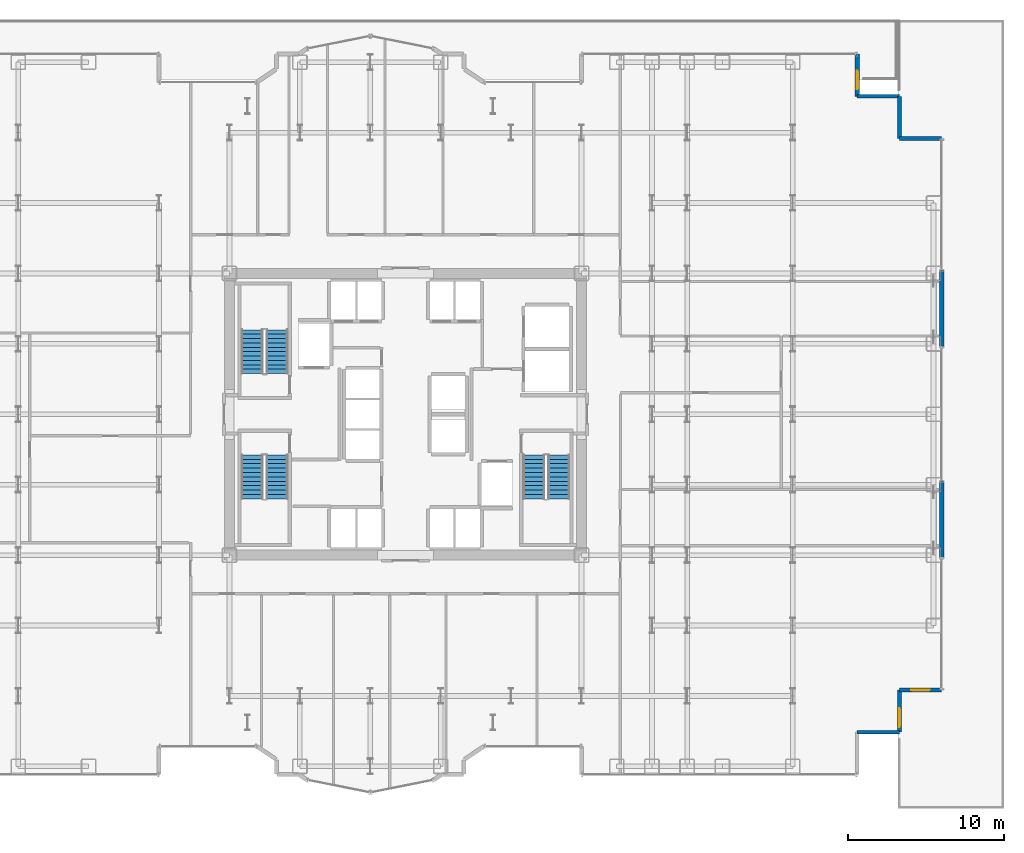
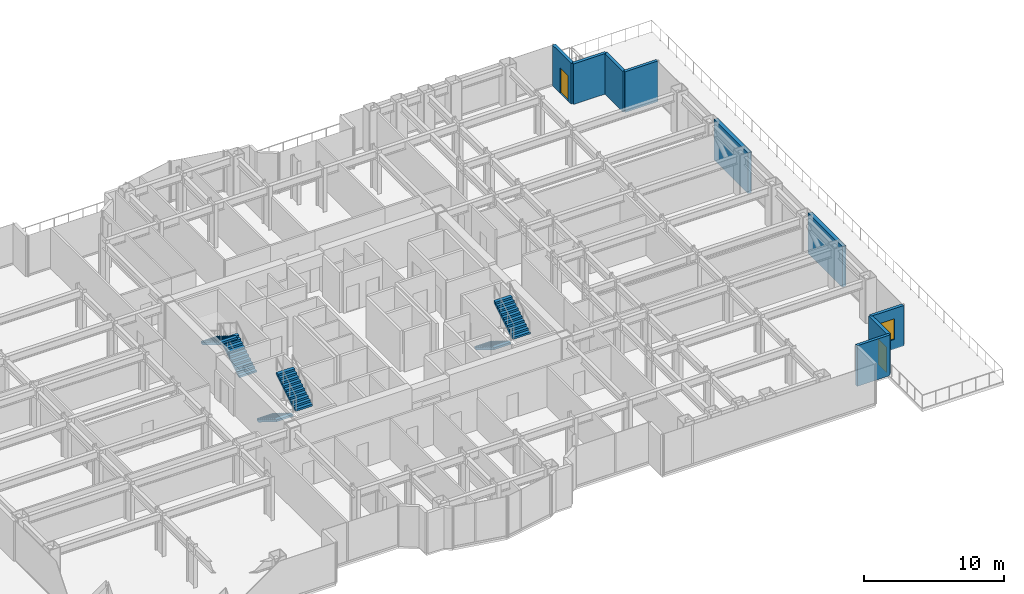
# One storey, part 27 of 30: 9 walls, 6 stair flights, 2 doors, 1 window, 3 openings, 3 elements without a shape of their own.
"""IFC4 building model written with IfcOpenShell, lengths in metres."""

from ifc_helpers import new_model, si_unit, direction, frame, frame_2d, origin, place, context, subcontext, project, spatial, polyline, rectangle, outline, extrude, source, transform, mapped, material, layer, layer_set, type_object, element, fill, aggregate, save


model = new_model("IFC4")

# Units and contexts
model_context = context("Model", 3, precision=1e-05, world=origin(), true_north=direction((0.0, 1.0)))
body_context = subcontext(model_context, "Body", "Model", "MODEL_VIEW")
ifc_project = project(units=[si_unit("LENGTHUNIT", "METRE"), si_unit("AREAUNIT", "SQUARE_METRE"), si_unit("VOLUMEUNIT", "CUBIC_METRE"), si_unit("PLANEANGLEUNIT", "RADIAN"), si_unit("MASSUNIT", "GRAM", prefix="KILO")], contexts=[model_context])

# Site, building, storey
site_placement = place(None, origin())
site = spatial("IfcSite", under=ifc_project, at=site_placement, CompositionType="ELEMENT")
building_placement = place(site_placement, origin())
building = spatial("IfcBuilding", under=site, at=building_placement, Name="Nefas-Gora Pilgrimage Tower", CompositionType="ELEMENT")
storey_placement = place(building_placement, frame((0.0, 0.0, 33.0)))
storey = spatial("IfcBuildingStorey", under=building, at=storey_placement, Name="L06", CompositionType="ELEMENT", Elevation=33.0)

# Walls
ifc_material_1 = material(Name="Precast concrete C45/55", Category="concrete")
ifc_layer_1 = layer(ifc_material_1, 0.239990234375)
ifc_layer_set_1 = layer_set([ifc_layer_1], Name="Precast concrete C45/55")
wall_type_1 = type_object("IfcWallType", Name="EW-SERR-240", PredefinedType="SHEAR", material=ifc_layer_set_1)
shared_shape_1 = source(origin(), body_context, "Body", "SweptSolid", [
    extrude(rectangle(XDim=4.8798828125, YDim=0.300048828125, at=frame_2d((2.43994140625, 0.0))), origin(), (0.0, 0.0, 1.0), 3.550048828125),
])
for number, where, z_axis, x_axis, name in (
    (1, (34.27001953125, -9.18994140625, 0.0), (0.0, 0.0, 1.0), (0.0, 1.0, 0.0), "L06 Braced-Tube Precast Shear Cladding 3"),
    (2, (34.27001953125, 4.31005859375, 0.0), (0.0, 0.0, 1.0), (0.0, 1.0, 0.0), "L06 Braced-Tube Precast Shear Cladding 4"),
):
    element("IfcWall", number, at=place(storey_placement, frame(where, z_axis=z_axis, x_axis=x_axis)), inside=storey, type_object=wall_type_1, Name=name, PredefinedType="SHEAR", context=body_context, shape_type="MappedRepresentation", body=[
        mapped(shared_shape_1, transform((0.0, 0.0, 0.0), x_axis=(1.0, 0.0, 0.0), y_axis=(0.0, 1.0, 0.0), z_axis=(0.0, 0.0, 1.0), scale=1.0)),
    ])
shared_shape_2 = source(origin(), body_context, "Body", "SweptSolid", [
    extrude(rectangle(XDim=2.699951171875, YDim=0.239990234375, at=frame_2d((1.35009765625, 0.0))), origin(), (0.0, 0.0, 1.0), 3.550048828125),
])
wall_1_placement = place(storey_placement, frame((28.8701171875, -20.320068359375, 0.0), z_axis=(0.0, 0.0, 1.0), x_axis=(1.0, 0.0, 0.0)))
element("IfcWall", 3, at=wall_1_placement, inside=storey, type_object=wall_type_1, Name="L06 Serrated Corner Shear Pier Wall 7", PredefinedType="SHEAR", context=body_context, shape_type="MappedRepresentation", body=[
    mapped(shared_shape_2, transform((0.0, 0.0, 0.0), x_axis=(1.0, 0.0, 0.0), y_axis=(0.0, 1.0, 0.0), z_axis=(0.0, 0.0, 1.0), scale=1.0)),
])

# Wall, opening, window
wall_2_placement = place(storey_placement, frame((31.570068359375, -17.6201171875, 0.0), z_axis=(0.0, 0.0, 1.0), x_axis=(1.0, 0.0, 0.0)))
wall_2 = element("IfcWall", 4, at=wall_2_placement, inside=storey, type_object=wall_type_1, Name="L06 Serrated Corner Shear Pier Wall 9", PredefinedType="SHEAR", context=body_context, shape_type="MappedRepresentation", body=[
    mapped(shared_shape_2, transform((0.0, 0.0, 0.0), x_axis=(1.0, 0.0, 0.0), y_axis=(0.0, 1.0, 0.0), z_axis=(0.0, 0.0, 1.0), scale=1.0)),
])
opening_1_placement = place(wall_2_placement, frame((0.75, 0.0, 0.85009765625)))
opening_1 = element("IfcOpeningElement", 5, at=opening_1_placement, cuts=wall_2, Name="Opening W-V1", PredefinedType="OPENING", context=body_context, shape_type="SweptSolid", body=[
    extrude(rectangle(XDim=1.199951171875, YDim=1.800048828125, at=frame_2d((0.60009765625, 0.89990234375))), frame((0.0, 0.1298828125, 0.0), z_axis=(0.0, -1.0, 0.0), x_axis=(1.0, 0.0, 0.0)), (0.0, 0.0, 1.0), 0.260009765625),
])
ifc_material_2 = material(Name="Dark ceramic-fritted operable aluminium-glass window", Category="aluminium")
window_type = type_object("IfcWindowType", Name="WIN-VENT-1200x1800", PartitioningType="SINGLE_PANEL", PredefinedType="WINDOW", material=ifc_material_2)
shared_shape_3 = source(origin(), body_context, "Body", "SweptSolid", [
    extrude(rectangle(XDim=1.199951171875, YDim=1.800048828125, at=frame_2d((0.60009765625, 0.89990234375))), frame((0.0, 0.030029296875, 0.0), z_axis=(0.0, -1.0, 0.0), x_axis=(1.0, 0.0, 0.0)), (0.0, 0.0, 1.0), 0.06005859375),
])
window_placement = place(opening_1_placement, origin())
window = element("IfcWindow", 6, at=window_placement, inside=storey, type_object=window_type, Name="L06 Operable Parallel-Outswing Window 9", OverallHeight=1.800048828125, OverallWidth=1.199951171875, PartitioningType="SINGLE_PANEL", PredefinedType="WINDOW", context=body_context, shape_type="MappedRepresentation", body=[
    mapped(shared_shape_3, transform((0.0, 0.0, 0.0), x_axis=(1.0, 0.0, 0.0), y_axis=(0.0, 1.0, 0.0), z_axis=(0.0, 0.0, 1.0), scale=1.0)),
])
fill(opening_1, window)

# Walls
for number, where, z_axis, x_axis, name in (
    (7, (34.27001953125, 17.6201171875, 0.0), (0.0, 0.0, 1.0), (-1.0, 0.0, 0.0), "L06 Serrated Corner Shear Pier Wall 10"),
    (8, (31.570068359375, 17.6201171875, 0.0), (0.0, 0.0, 1.0), (0.0, 1.0, 0.0), "L06 Serrated Corner Shear Pier Wall 11"),
    (9, (31.570068359375, 20.320068359375, 0.0), (0.0, 0.0, 1.0), (-1.0, 0.0, 0.0), "L06 Serrated Corner Shear Pier Wall 12"),
):
    element("IfcWall", number, at=place(storey_placement, frame(where, z_axis=z_axis, x_axis=x_axis)), inside=storey, type_object=wall_type_1, Name=name, PredefinedType="SHEAR", context=body_context, shape_type="MappedRepresentation", body=[
        mapped(shared_shape_2, transform((0.0, 0.0, 0.0), x_axis=(1.0, 0.0, 0.0), y_axis=(0.0, 1.0, 0.0), z_axis=(0.0, 0.0, 1.0), scale=1.0)),
    ])

# Wall, opening, door
ifc_material_3 = material(Name="Precast concrete C40/50", Category="concrete")
ifc_layer_2 = layer(ifc_material_3, 0.260009765625)
ifc_layer_set_2 = layer_set([ifc_layer_2], Name="Precast concrete C40/50")
wall_type_2 = type_object("IfcWallType", Name="EW-PORTAL-260", PredefinedType="SOLIDWALL", material=ifc_layer_set_2)
shared_shape_4 = source(origin(), body_context, "Body", "SweptSolid", [
    extrude(rectangle(XDim=2.699951171875, YDim=0.260009765625, at=frame_2d((1.35009765625, 0.0))), origin(), (0.0, 0.0, 1.0), 3.550048828125),
])
wall_3_placement = place(storey_placement, frame((31.570068359375, -20.320068359375, 0.0), z_axis=(0.0, 0.0, 1.0), x_axis=(0.0, 1.0, 0.0)))
wall_3 = element("IfcWall", 10, at=wall_3_placement, inside=storey, type_object=wall_type_2, Name="L06 Insulated Terrace Portal Wall 8", PredefinedType="SOLIDWALL", context=body_context, shape_type="MappedRepresentation", body=[
    mapped(shared_shape_4, transform((0.0, 0.0, 0.0), x_axis=(1.0, 0.0, 0.0), y_axis=(0.0, 1.0, 0.0), z_axis=(0.0, 0.0, 1.0), scale=1.0)),
])
opening_2_placement = place(wall_3_placement, frame((0.333984375, 0.0, 0.0)))
opening_2 = element("IfcOpeningElement", 11, at=opening_2_placement, cuts=wall_3, Name="Opening ED-S1", PredefinedType="OPENING", context=body_context, shape_type="SweptSolid", body=[
    extrude(rectangle(XDim=1.199951171875, YDim=2.199951171875, at=frame_2d((0.60009765625, 1.10009765625))), frame((0.0, 0.139892578125, 0.0), z_axis=(0.0, -1.0, 0.0), x_axis=(1.0, 0.0, 0.0)), (0.0, 0.0, 1.0), 0.280029296875),
])
ifc_material_4 = material(Name="Heavy-wind glazed aluminium sky-terrace door", Category="aluminium")
door_type = type_object("IfcDoorType", Name="DR-EXT-SKY-1200", OperationType="NOTDEFINED", PredefinedType="DOOR", material=ifc_material_4)
shared_shape_5 = source(origin(), body_context, "Body", "SweptSolid", [
    extrude(rectangle(XDim=1.199951171875, YDim=2.199951171875, at=frame_2d((0.60009765625, 1.10009765625))), frame((0.0, 0.02490234375, 0.0), z_axis=(0.0, -1.0, 0.0), x_axis=(1.0, 0.0, 0.0)), (0.0, 0.0, 1.0), 0.050048828125),
])
door_1_placement = place(opening_2_placement, origin())
door_1 = element("IfcDoor", 12, at=door_1_placement, inside=storey, type_object=door_type, Name="L06 Exterior Door (L06 Outdoor Terrace TER-L06-2)", OperationType="SINGLE_SWING_RIGHT", OverallHeight=2.199951171875, OverallWidth=1.199951171875, PredefinedType="DOOR", context=body_context, shape_type="MappedRepresentation", body=[
    mapped(shared_shape_5, transform((0.0, 0.0, 0.0), x_axis=(1.0, 0.0, 0.0), y_axis=(0.0, 1.0, 0.0), z_axis=(0.0, 0.0, 1.0), scale=1.0)),
])
fill(opening_2, door_1)

wall_4_placement = place(storey_placement, frame((28.8701171875, 20.320068359375, 0.0), z_axis=(0.0, 0.0, 1.0), x_axis=(0.0, 1.0, 0.0)))
wall_4 = element("IfcWall", 13, at=wall_4_placement, inside=storey, type_object=wall_type_2, Name="L06 Insulated Terrace Portal Wall 13", PredefinedType="SOLIDWALL", context=body_context, shape_type="MappedRepresentation", body=[
    mapped(shared_shape_4, transform((0.0, 0.0, 0.0), x_axis=(1.0, 0.0, 0.0), y_axis=(0.0, 1.0, 0.0), z_axis=(0.0, 0.0, 1.0), scale=1.0)),
])
opening_3_placement = place(wall_4_placement, frame((0.43798828125, 0.0, 0.0)))
opening_3 = element("IfcOpeningElement", 14, at=opening_3_placement, cuts=wall_4, Name="Opening ED-S1", PredefinedType="OPENING", context=body_context, shape_type="SweptSolid", body=[
    extrude(rectangle(XDim=1.199951171875, YDim=2.199951171875, at=frame_2d((0.60009765625, 1.10009765625))), frame((0.0, 0.139892578125, 0.0), z_axis=(0.0, -1.0, 0.0), x_axis=(1.0, 0.0, 0.0)), (0.0, 0.0, 1.0), 0.280029296875),
])
door_2_placement = place(opening_3_placement, origin())
door_2 = element("IfcDoor", 15, at=door_2_placement, inside=storey, type_object=door_type, Name="L06 Exterior Door (L06 Outdoor Terrace TER-L06-3)", OperationType="SINGLE_SWING_LEFT", OverallHeight=2.199951171875, OverallWidth=1.199951171875, PredefinedType="DOOR", context=body_context, shape_type="MappedRepresentation", body=[
    mapped(shared_shape_5, transform((0.0, 0.0, 0.0), x_axis=(1.0, 0.0, 0.0), y_axis=(0.0, 1.0, 0.0), z_axis=(0.0, 0.0, 1.0), scale=1.0)),
])
fill(opening_3, door_2)

# Stair, stair flights
ifc_material_5 = material(Name="Concrete C45/55", Category="concrete")
stair_type = type_object("IfcStairType", Name="STR-1400-R1727", PredefinedType="HALF_TURN_STAIR", material=ifc_material_5)
stair_1_placement = place(storey_placement, origin())
stair_1 = element("IfcStair", 16, at=stair_1_placement, inside=storey, type_object=stair_type, Name="L06 Pressurised Tower Exit Stair ST-01", PredefinedType="HALF_TURN_STAIR")
stair_flight_type = type_object("IfcStairFlightType", Name="STF-1400-R1727", PredefinedType="STRAIGHT", material=ifc_material_5)
shared_shape_6 = source(origin(), body_context, "Body", "SweptSolid", [
    extrude(outline(polyline([(0.0, 0.0), (0.0, 0.172607421875), (0.280029296875, 0.172607421875), (0.280029296875, 0.345458984375), (0.56005859375, 0.345458984375), (0.56005859375, 0.51806640625), (0.840087890625, 0.51806640625), (0.840087890625, 0.69091796875), (1.1201171875, 0.69091796875), (1.1201171875, 0.863525390625), (1.39990234375, 0.863525390625), (1.39990234375, 1.036376953125), (1.679931640625, 1.036376953125), (1.679931640625, 1.208984375), (1.9599609375, 1.208984375), (1.9599609375, 1.3818359375), (2.239990234375, 1.3818359375), (2.239990234375, 1.554443359375), (2.52001953125, 1.554443359375), (2.52001953125, 1.727294921875), (2.800048828125, 1.727294921875), (2.800048828125, 1.89990234375), (2.800048828125, 1.551025390625), (0.285400390625, 0.0), (0.0, 0.0)])), frame((0.0, 0.699951171875, 0.0), z_axis=(0.0, -1.0, 0.0), x_axis=(1.0, 0.0, 0.0)), (0.0, 0.0, 1.0), 1.39990234375),
])
stair_flight_1_placement = place(storey_placement, frame((-8.199951171875, 2.60009765625, 0.0), z_axis=(0.0, 0.0, 1.0), x_axis=(0.0, 1.0, 0.0)))
stair_flight_1 = element("IfcStairFlight", 17, at=stair_flight_1_placement, type_object=stair_flight_type, Name="ST-01 flight 1", NumberOfRisers=11, NumberOfTreads=10, PredefinedType="STRAIGHT", RiserHeight=0.172727273, TreadLength=0.28, context=body_context, shape_type="MappedRepresentation", body=[
    mapped(shared_shape_6, transform((0.0, 0.0, 0.0), x_axis=(1.0, 0.0, 0.0), y_axis=(0.0, 1.0, 0.0), z_axis=(0.0, 0.0, 1.0), scale=1.0)),
])
stair_flight_2_placement = place(storey_placement, frame((-9.800048828125, 5.39990234375, 1.89990234375), z_axis=(0.0, 0.0, 1.0), x_axis=(0.0, -1.0, 0.0)))
stair_flight_2 = element("IfcStairFlight", 18, at=stair_flight_2_placement, type_object=stair_flight_type, Name="ST-01 flight 2", NumberOfRisers=11, NumberOfTreads=10, PredefinedType="STRAIGHT", RiserHeight=0.172727273, TreadLength=0.28, context=body_context, shape_type="MappedRepresentation", body=[
    mapped(shared_shape_6, transform((0.0, 0.0, 0.0), x_axis=(1.0, 0.0, 0.0), y_axis=(0.0, 1.0, 0.0), z_axis=(0.0, 0.0, 1.0), scale=1.0)),
])
aggregate(stair_1, [stair_flight_1, stair_flight_2])

stair_2_placement = place(storey_placement, origin())
stair_2 = element("IfcStair", 19, at=stair_2_placement, inside=storey, type_object=stair_type, Name="L06 Pressurised Tower Exit Stair ST-02", PredefinedType="HALF_TURN_STAIR")
stair_flight_3_placement = place(storey_placement, frame((8.199951171875, -2.60009765625, 0.0), z_axis=(0.0, 0.0, 1.0), x_axis=(0.0, -1.0, 0.0)))
stair_flight_3 = element("IfcStairFlight", 20, at=stair_flight_3_placement, type_object=stair_flight_type, Name="ST-02 flight 1", NumberOfRisers=11, NumberOfTreads=10, PredefinedType="STRAIGHT", RiserHeight=0.172727273, TreadLength=0.28, context=body_context, shape_type="MappedRepresentation", body=[
    mapped(shared_shape_6, transform((0.0, 0.0, 0.0), x_axis=(1.0, 0.0, 0.0), y_axis=(0.0, 1.0, 0.0), z_axis=(0.0, 0.0, 1.0), scale=1.0)),
])
stair_flight_4_placement = place(storey_placement, frame((9.800048828125, -5.39990234375, 1.89990234375), z_axis=(0.0, 0.0, 1.0), x_axis=(0.0, 1.0, 0.0)))
stair_flight_4 = element("IfcStairFlight", 21, at=stair_flight_4_placement, type_object=stair_flight_type, Name="ST-02 flight 2", NumberOfRisers=11, NumberOfTreads=10, PredefinedType="STRAIGHT", RiserHeight=0.172727273, TreadLength=0.28, context=body_context, shape_type="MappedRepresentation", body=[
    mapped(shared_shape_6, transform((0.0, 0.0, 0.0), x_axis=(1.0, 0.0, 0.0), y_axis=(0.0, 1.0, 0.0), z_axis=(0.0, 0.0, 1.0), scale=1.0)),
])
aggregate(stair_2, [stair_flight_3, stair_flight_4])

stair_3_placement = place(storey_placement, origin())
stair_3 = element("IfcStair", 22, at=stair_3_placement, inside=storey, type_object=stair_type, Name="L06 Pressurised Tower Exit Stair ST-03", PredefinedType="HALF_TURN_STAIR")
stair_flight_5_placement = place(storey_placement, frame((-9.800048828125, -2.60009765625, 0.0), z_axis=(0.0, 0.0, 1.0), x_axis=(0.0, -1.0, 0.0)))
stair_flight_5 = element("IfcStairFlight", 23, at=stair_flight_5_placement, type_object=stair_flight_type, Name="ST-03 flight 1", NumberOfRisers=11, NumberOfTreads=10, PredefinedType="STRAIGHT", RiserHeight=0.172727273, TreadLength=0.28, context=body_context, shape_type="MappedRepresentation", body=[
    mapped(shared_shape_6, transform((0.0, 0.0, 0.0), x_axis=(1.0, 0.0, 0.0), y_axis=(0.0, 1.0, 0.0), z_axis=(0.0, 0.0, 1.0), scale=1.0)),
])
stair_flight_6_placement = place(storey_placement, frame((-8.199951171875, -5.39990234375, 1.89990234375), z_axis=(0.0, 0.0, 1.0), x_axis=(0.0, 1.0, 0.0)))
stair_flight_6 = element("IfcStairFlight", 24, at=stair_flight_6_placement, type_object=stair_flight_type, Name="ST-03 flight 2", NumberOfRisers=11, NumberOfTreads=10, PredefinedType="STRAIGHT", RiserHeight=0.172727273, TreadLength=0.28, context=body_context, shape_type="MappedRepresentation", body=[
    mapped(shared_shape_6, transform((0.0, 0.0, 0.0), x_axis=(1.0, 0.0, 0.0), y_axis=(0.0, 1.0, 0.0), z_axis=(0.0, 0.0, 1.0), scale=1.0)),
])
aggregate(stair_3, [stair_flight_5, stair_flight_6])

save(model, "model.ifc")
